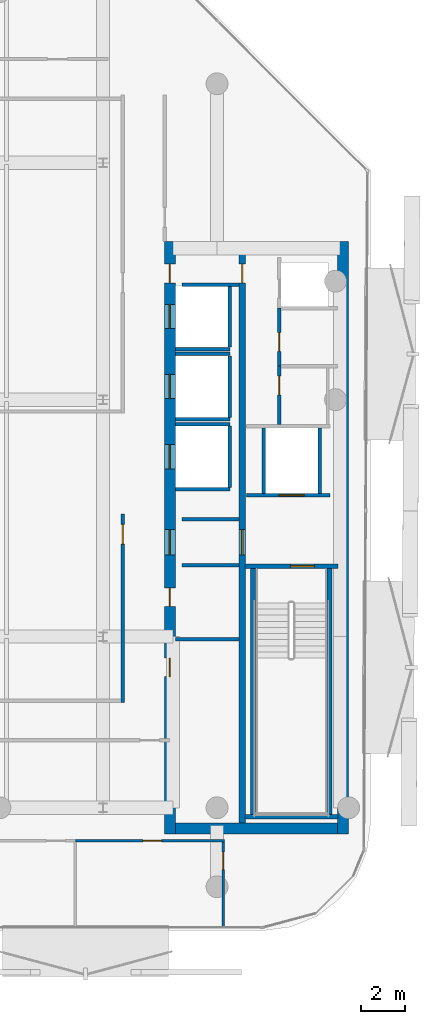
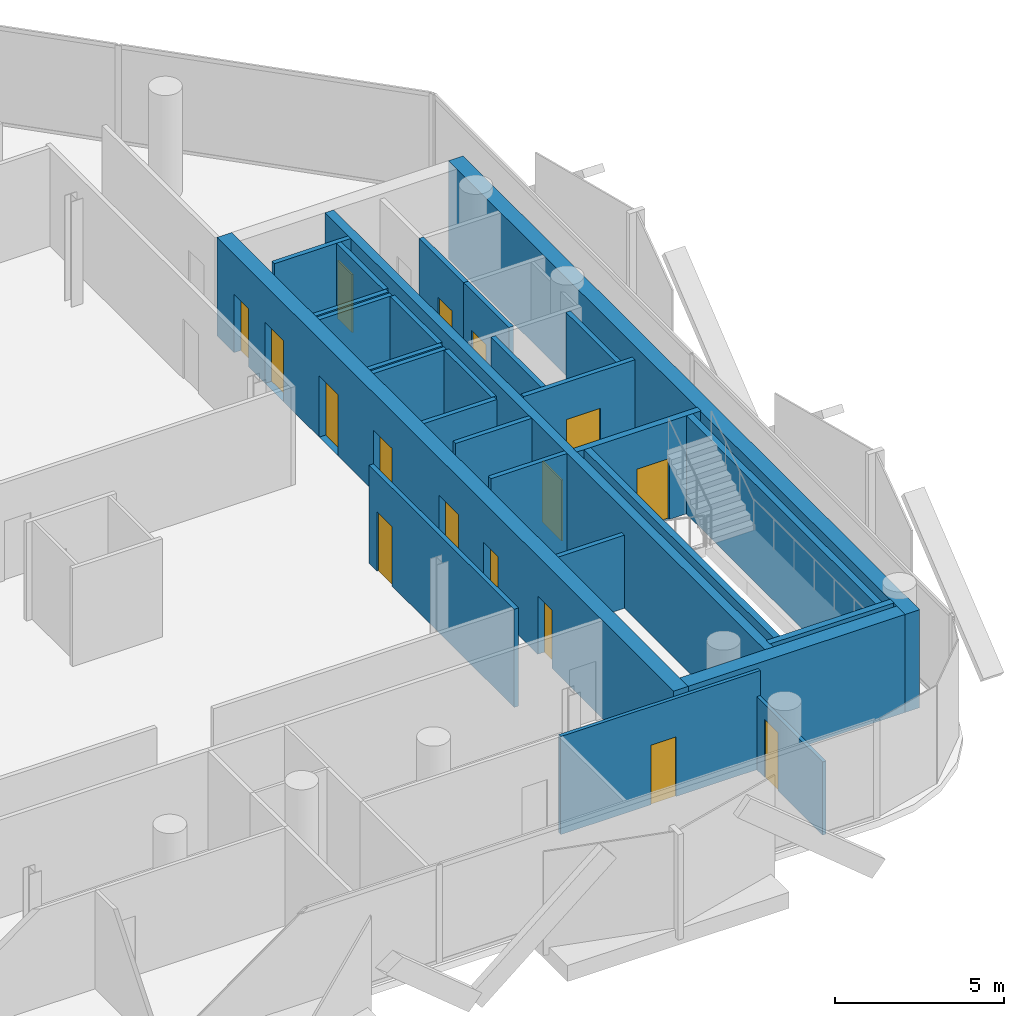
# One storey, part 6 of 16: 28 walls, 16 doors, 16 openings.
"""IFC4 building model written with IfcOpenShell, lengths in metres."""

from ifc_helpers import new_model, si_unit, direction, frame, frame_2d, origin, place, context, subcontext, project, spatial, rectangle, extrude, material, layer, layer_set, type_object, element, fill, save


model = new_model("IFC4")

# Units and contexts
model_context = context("Model", 3, precision=1e-05, world=origin(), true_north=direction((0.0, 1.0)))
body_context = subcontext(model_context, "Body", "Model", "MODEL_VIEW")
ifc_project = project(units=[si_unit("LENGTHUNIT", "METRE"), si_unit("AREAUNIT", "SQUARE_METRE"), si_unit("VOLUMEUNIT", "CUBIC_METRE"), si_unit("PLANEANGLEUNIT", "RADIAN"), si_unit("MASSUNIT", "GRAM", prefix="KILO")], contexts=[model_context])

# Site, building, storey
site_placement = place(None, origin())
site = spatial("IfcSite", under=ifc_project, at=site_placement, CompositionType="ELEMENT")
building_placement = place(site_placement, origin())
building = spatial("IfcBuilding", under=site, at=building_placement, Name="Khairoan Windgate Tower", CompositionType="ELEMENT")
storey_placement = place(building_placement, frame((0.0, 0.0, 300.39990234375)))
storey = spatial("IfcBuildingStorey", under=building, at=storey_placement, Name="L72", CompositionType="ELEMENT", Elevation=300.39990234375)

# Walls
ifc_material_1 = material(Name="Concrete C40/50", Category="concrete")
ifc_layer_1 = layer(ifc_material_1, 0.159912109375, Name="Concrete C40/50")
ifc_layer_set_1 = layer_set([ifc_layer_1], Name="Concrete C40/50")
wall_type_1 = type_object("IfcWallType", Name="Core and Hoistway Enclosure Wall", PredefinedType="STANDARD", material=ifc_layer_set_1)
wall_1_placement = place(storey_placement, frame((12.5, 2.31005859375, 0.0), z_axis=(0.0, 0.0, 1.0), x_axis=(1.0, 0.0, 0.0)))
element("IfcWall", 1, at=wall_1_placement, inside=storey, type_object=wall_type_1, Name="L72 Lift PL7 Hoistway Divider S", PredefinedType="STANDARD", context=body_context, shape_type="SweptSolid", body=[
    extrude(rectangle(XDim=2.489990234375, YDim=0.159912109375, at=frame_2d((1.2451171875, 0.0))), origin(), (0.0, 0.0, 1.0), 3.5400390625),
])
wall_2_placement = place(storey_placement, frame((14.989990234375, 2.39990234375, 0.0), z_axis=(0.0, 0.0, 1.0), x_axis=(0.0, 1.0, 0.0)))
element("IfcWall", 2, at=wall_2_placement, inside=storey, type_object=wall_type_1, Name="L72 Lift PL7 Hoistway Back Wall", PredefinedType="STANDARD", context=body_context, shape_type="SweptSolid", body=[
    extrude(rectangle(XDim=2.800048828125, YDim=0.159912109375, at=frame_2d((1.39990234375, 0.0))), origin(), (0.0, 0.0, 1.0), 3.5400390625),
])
for number, where, z_axis, x_axis, name in (
    (3, (12.5, -0.889892578125, 0.0), (0.0, 0.0, 1.0), (1.0, 0.0, 0.0), "L72 Lift PL8 Hoistway Divider S"),
    (4, (12.5, 2.090087890625, 0.0), (0.0, 0.0, 1.0), (1.0, 0.0, 0.0), "L72 Lift PL8 Hoistway Divider N"),
):
    element("IfcWall", number, at=place(storey_placement, frame(where, z_axis=z_axis, x_axis=x_axis)), inside=storey, type_object=wall_type_1, Name=name, PredefinedType="STANDARD", context=body_context, shape_type="SweptSolid", body=[
        extrude(rectangle(XDim=2.489990234375, YDim=0.159912109375, at=frame_2d((1.2451171875, 0.0))), origin(), (0.0, 0.0, 1.0), 3.5400390625),
    ])
wall_3_placement = place(storey_placement, frame((14.989990234375, -0.800048828125, 0.0), z_axis=(0.0, 0.0, 1.0), x_axis=(0.0, 1.0, 0.0)))
element("IfcWall", 5, at=wall_3_placement, inside=storey, type_object=wall_type_1, Name="L72 Lift PL8 Hoistway Back Wall", PredefinedType="STANDARD", context=body_context, shape_type="SweptSolid", body=[
    extrude(rectangle(XDim=2.800048828125, YDim=0.159912109375, at=frame_2d((1.39990234375, 0.0))), origin(), (0.0, 0.0, 1.0), 3.5400390625),
])
for number, where, z_axis, x_axis, name in (
    (6, (12.5, -4.090087890625, 0.0), (0.0, 0.0, 1.0), (1.0, 0.0, 0.0), "L72 Lift PL9 Hoistway Divider S"),
    (7, (12.5, -1.110107421875, 0.0), (0.0, 0.0, 1.0), (1.0, 0.0, 0.0), "L72 Lift PL9 Hoistway Divider N"),
):
    element("IfcWall", number, at=place(storey_placement, frame(where, z_axis=z_axis, x_axis=x_axis)), inside=storey, type_object=wall_type_1, Name=name, PredefinedType="STANDARD", context=body_context, shape_type="SweptSolid", body=[
        extrude(rectangle(XDim=2.489990234375, YDim=0.159912109375, at=frame_2d((1.2451171875, 0.0))), origin(), (0.0, 0.0, 1.0), 3.5400390625),
    ])
wall_4_placement = place(storey_placement, frame((14.989990234375, -4.0, 0.0), z_axis=(0.0, 0.0, 1.0), x_axis=(0.0, 1.0, 0.0)))
element("IfcWall", 8, at=wall_4_placement, inside=storey, type_object=wall_type_1, Name="L72 Lift PL9 Hoistway Back Wall", PredefinedType="STANDARD", context=body_context, shape_type="SweptSolid", body=[
    extrude(rectangle(XDim=2.800048828125, YDim=0.159912109375, at=frame_2d((1.39990234375, 0.0))), origin(), (0.0, 0.0, 1.0), 3.5400390625),
])

# Wall, opening, door
wall_5_placement = place(storey_placement, frame((15.75, -4.360107421875, 0.0), z_axis=(0.0, 0.0, 1.0), x_axis=(1.0, 0.0, 0.0)))
wall_5 = element("IfcWall", 9, at=wall_5_placement, inside=storey, type_object=wall_type_1, Name="L72 Core Shaft Wall SW-FL1-L72", PredefinedType="STANDARD", context=body_context, shape_type="SweptSolid", body=[
    extrude(rectangle(XDim=3.800048828125, YDim=0.159912109375, at=frame_2d((1.89990234375, 0.0))), origin(), (0.0, 0.0, 1.0), 3.5400390625),
])
opening_1_placement = place(wall_5_placement, frame((1.469970703125, 0.0, 0.0)))
opening_1 = element("IfcOpeningElement", 10, at=opening_1_placement, cuts=wall_5, Name="Opening LD-FL", PredefinedType="OPENING", context=body_context, shape_type="SweptSolid", body=[
    extrude(rectangle(XDim=1.14990234375, YDim=2.199951171875, at=frame_2d((0.574951171875, 1.10009765625))), frame((0.0, 0.08984375, 0.0), z_axis=(0.0, -1.0, 0.0), x_axis=(1.0, 0.0, 0.0)), (0.0, 0.0, 1.0), 0.179931640625),
])
ifc_material_2 = material(Name="Steel S355", Category="steel")
door_type_1 = type_object("IfcDoorType", Name="Firefighting Lift Sliding Landing Door LD-FL 1150x2200", OperationType="DOUBLE_DOOR_SLIDING", PredefinedType="DOOR", material=ifc_material_2)
door_1_placement = place(opening_1_placement, origin())
door_1 = element("IfcDoor", 11, at=door_1_placement, inside=storey, type_object=door_type_1, Name="L72 Firefighting Lift FL1 Landing Door", OperationType="DOUBLE_DOOR_SLIDING", OverallHeight=2.199951171875, OverallWidth=1.14990234375, PredefinedType="DOOR", context=body_context, shape_type="SweptSolid", body=[
    extrude(rectangle(XDim=1.14990234375, YDim=2.199951171875, at=frame_2d((0.574951171875, 1.10009765625))), frame((0.0, 0.02490234375, 0.0), z_axis=(0.0, -1.0, 0.0), x_axis=(1.0, 0.0, 0.0)), (0.0, 0.0, 1.0), 0.050048828125),
])
fill(opening_1, door_1)

# Walls
for number, where, z_axis, x_axis, name in (
    (12, (16.52001953125, -4.280029296875, 0.0), (0.0, 0.0, 1.0), (0.0, 1.0, 0.0), "L72 Core Shaft Wall SW-FL1W-L72"),
    (13, (19.080078125, -4.280029296875, 0.0), (0.0, 0.0, 1.0), (0.0, 1.0, 0.0), "L72 Core Shaft Wall SW-FL1E-L72"),
):
    element("IfcWall", number, at=place(storey_placement, frame(where, z_axis=z_axis, x_axis=x_axis)), inside=storey, type_object=wall_type_1, Name=name, PredefinedType="STANDARD", context=body_context, shape_type="SweptSolid", body=[
        extrude(rectangle(XDim=2.97998046875, YDim=0.159912109375, at=frame_2d((1.489990234375, 0.0))), origin(), (0.0, 0.0, 1.0), 3.5400390625),
    ])
for number, where, z_axis, x_axis, name in (
    (14, (12.800048828125, -5.449951171875, 0.0), (0.0, 0.0, 1.0), (1.0, 0.0, 0.0), "L72 Core Shaft Wall SW-EV1-L72"),
    (15, (12.800048828125, -7.5400390625, 0.0), (0.0, 0.0, 1.0), (1.0, 0.0, 0.0), "L72 Core Shaft Wall SW-EV2-L72"),
    (16, (12.800048828125, 5.25, 0.0), (0.0, 0.0, 1.0), (1.0, 0.0, 0.0), "L72 Core Shaft Wall SW-ESV-L72"),
):
    element("IfcWall", number, at=place(storey_placement, frame(where, z_axis=z_axis, x_axis=x_axis)), inside=storey, type_object=wall_type_1, Name=name, PredefinedType="STANDARD", context=body_context, shape_type="SweptSolid", body=[
        extrude(rectangle(XDim=2.599853515625, YDim=0.159912109375, at=frame_2d((1.2998046875, 0.0))), origin(), (0.0, 0.0, 1.0), 3.5400390625),
    ])

# Wall, opening, door
ifc_material_3 = material(Name="Gypsum Stud Partition", Category="gypsum")
ifc_layer_2 = layer(ifc_material_3, 0.1201171875, Name="Gypsum Stud Partition")
ifc_layer_set_2 = layer_set([ifc_layer_2], Name="Gypsum Stud Partition")
wall_type_2 = type_object("IfcWallType", Name="Internal Room Partition Wall", PredefinedType="PARTITIONING", material=ifc_layer_set_2)
wall_6_placement = place(storey_placement, frame((7.93994140625, -20.10009765625, 0.0), z_axis=(0.0, 0.0, 1.0), x_axis=(1.0, 0.0, 0.0)))
wall_6 = element("IfcWall", 17, at=wall_6_placement, inside=storey, type_object=wall_type_2, Name="L72 Interior Partition 069", PredefinedType="PARTITIONING", context=body_context, shape_type="SweptSolid", body=[
    extrude(rectangle(XDim=6.81005859375, YDim=0.1201171875, at=frame_2d((3.405029296875, 0.0))), origin(), (0.0, 0.0, 1.0), 3.5400390625),
])
opening_2_placement = place(wall_6_placement, frame((3.07568359375, 0.0, 0.0)))
opening_2 = element("IfcOpeningElement", 18, at=opening_2_placement, cuts=wall_6, Name="Opening ID-RM", PredefinedType="OPENING", context=body_context, shape_type="SweptSolid", body=[
    extrude(rectangle(XDim=0.860107421875, YDim=2.14990234375, at=frame_2d((0.43017578125, 1.074951171875))), frame((0.0, 0.070068359375, 0.0), z_axis=(0.0, -1.0, 0.0), x_axis=(1.0, 0.0, 0.0)), (0.0, 0.0, 1.0), 0.14013671875),
])
ifc_material_4 = material(Name="Teak Veneer Timber Leaf", Category="wood")
door_type_2 = type_object("IfcDoorType", Name="Internal Bedroom and Office Door ID-RM 860x2150", OperationType="NOTDEFINED", PredefinedType="DOOR", material=ifc_material_4)
door_2_placement = place(opening_2_placement, origin())
door_2 = element("IfcDoor", 19, at=door_2_placement, inside=storey, type_object=door_type_2, Name="L72 L72-51-L72-54 Door", OperationType="SINGLE_SWING_RIGHT", OverallHeight=2.14990234375, OverallWidth=0.860107421875, PredefinedType="DOOR", context=body_context, shape_type="SweptSolid", body=[
    extrude(rectangle(XDim=0.860107421875, YDim=2.14990234375, at=frame_2d((0.43017578125, 1.074951171875))), frame((0.0, 0.02490234375, 0.0), z_axis=(0.0, -1.0, 0.0), x_axis=(1.0, 0.0, 0.0)), (0.0, 0.0, 1.0), 0.050048828125),
])
fill(opening_2, door_2)

wall_7_placement = place(storey_placement, frame((14.68994140625, -24.054931640625, 0.0), z_axis=(0.0, 0.0, 1.0), x_axis=(0.0, 1.0, 0.0)))
wall_7 = element("IfcWall", 20, at=wall_7_placement, inside=storey, type_object=wall_type_2, Name="L72 Interior Partition 070", PredefinedType="PARTITIONING", context=body_context, shape_type="SweptSolid", body=[
    extrude(rectangle(XDim=3.89501953125, YDim=0.1201171875, at=frame_2d((1.947509765625, 0.0))), origin(), (0.0, 0.0, 1.0), 2.64013671875),
])
opening_3_placement = place(wall_7_placement, frame((2.635009765625, 0.0, 0.0)))
opening_3 = element("IfcOpeningElement", 21, at=opening_3_placement, cuts=wall_7, Name="Opening ID-BTH", PredefinedType="OPENING", context=body_context, shape_type="SweptSolid", body=[
    extrude(rectangle(XDim=0.800048828125, YDim=2.10009765625, at=frame_2d((0.39990234375, 1.050048828125))), frame((0.0, 0.070068359375, 0.0), z_axis=(0.0, -1.0, 0.0), x_axis=(1.0, 0.0, 0.0)), (0.0, 0.0, 1.0), 0.14013671875),
])
ifc_material_5 = material(Name="Teak Veneer Timber Leaf", Category="wood")
door_type_3 = type_object("IfcDoorType", Name="Internal Bathroom Door ID-BTH 800x2100", OperationType="NOTDEFINED", PredefinedType="DOOR", material=ifc_material_5)
door_3_placement = place(opening_3_placement, origin())
door_3 = element("IfcDoor", 22, at=door_3_placement, inside=storey, type_object=door_type_3, Name="L72 L72-52-L72-54 Door", OperationType="SINGLE_SWING_LEFT", OverallHeight=2.10009765625, OverallWidth=0.800048828125, PredefinedType="DOOR", context=body_context, shape_type="SweptSolid", body=[
    extrude(rectangle(XDim=0.800048828125, YDim=2.10009765625, at=frame_2d((0.39990234375, 1.050048828125))), frame((0.0, 0.02490234375, 0.0), z_axis=(0.0, -1.0, 0.0), x_axis=(1.0, 0.0, 0.0)), (0.0, 0.0, 1.0), 0.050048828125),
])
fill(opening_3, door_3)

ifc_material_6 = material(Name="Concrete C40/50", Category="concrete")
ifc_layer_3 = layer(ifc_material_6, 0.159912109375, Name="Concrete C40/50")
ifc_layer_set_3 = layer_set([ifc_layer_3], Name="Concrete C40/50")
wall_type_3 = type_object("IfcWallType", Name="Plant and Refuge Compartment Wall", PredefinedType="PARTITIONING", material=ifc_layer_set_3)
wall_8_placement = place(storey_placement, frame((17.22998046875, -1.139892578125, 0.0), z_axis=(0.0, 0.0, 1.0), x_axis=(0.0, 1.0, 0.0)))
wall_8 = element("IfcWall", 23, at=wall_8_placement, inside=storey, type_object=wall_type_3, Name="L72 Interior Partition 007", PredefinedType="PARTITIONING", context=body_context, shape_type="SweptSolid", body=[
    extrude(rectangle(XDim=2.669921875, YDim=0.159912109375, at=frame_2d((1.3349609375, 0.0))), origin(), (0.0, 0.0, 1.0), 3.5400390625),
])
opening_4_placement = place(wall_8_placement, frame((1.360107421875, 0.0, 0.0)))
opening_4 = element("IfcOpeningElement", 24, at=opening_4_placement, cuts=wall_8, Name="Opening FD-SRV", PredefinedType="OPENING", context=body_context, shape_type="SweptSolid", body=[
    extrude(rectangle(XDim=0.85009765625, YDim=2.10009765625, at=frame_2d((0.425048828125, 1.050048828125))), frame((0.0, 0.08984375, 0.0), z_axis=(0.0, -1.0, 0.0), x_axis=(1.0, 0.0, 0.0)), (0.0, 0.0, 1.0), 0.179931640625),
])
ifc_material_7 = material(Name="Steel S355", Category="steel")
door_type_4 = type_object("IfcDoorType", Name="Core Service and Riser Fire Door FD-SRV 850x2100", OperationType="NOTDEFINED", PredefinedType="DOOR", material=ifc_material_7)
door_4_placement = place(opening_4_placement, origin())
door_4 = element("IfcDoor", 25, at=door_4_placement, inside=storey, type_object=door_type_4, Name="L72 L72-16-L72-18 Door", OperationType="SINGLE_SWING_LEFT", OverallHeight=2.10009765625, OverallWidth=0.85009765625, PredefinedType="DOOR", context=body_context, shape_type="SweptSolid", body=[
    extrude(rectangle(XDim=0.85009765625, YDim=2.10009765625, at=frame_2d((0.425048828125, 1.050048828125))), frame((0.0, 0.02490234375, 0.0), z_axis=(0.0, -1.0, 0.0), x_axis=(1.0, 0.0, 0.0)), (0.0, 0.0, 1.0), 0.050048828125),
])
fill(opening_4, door_4)

wall_9_placement = place(storey_placement, frame((17.22998046875, 1.530029296875, 0.0), z_axis=(0.0, 0.0, 1.0), x_axis=(0.0, 1.0, 0.0)))
wall_9 = element("IfcWall", 26, at=wall_9_placement, inside=storey, type_object=wall_type_3, Name="L72 Interior Partition 008", PredefinedType="PARTITIONING", context=body_context, shape_type="SweptSolid", body=[
    extrude(rectangle(XDim=2.639892578125, YDim=0.159912109375, at=frame_2d((1.31982421875, 0.0))), origin(), (0.0, 0.0, 1.0), 3.5400390625),
])
opening_5_placement = place(wall_9_placement, frame((0.677490234375, 0.0, 0.0)))
opening_5 = element("IfcOpeningElement", 27, at=opening_5_placement, cuts=wall_9, Name="Opening FD-SRV", PredefinedType="OPENING", context=body_context, shape_type="SweptSolid", body=[
    extrude(rectangle(XDim=0.85009765625, YDim=2.10009765625, at=frame_2d((0.425048828125, 1.050048828125))), frame((0.0, 0.08984375, 0.0), z_axis=(0.0, -1.0, 0.0), x_axis=(1.0, 0.0, 0.0)), (0.0, 0.0, 1.0), 0.179931640625),
])
door_5_placement = place(opening_5_placement, origin())
door_5 = element("IfcDoor", 28, at=door_5_placement, inside=storey, type_object=door_type_4, Name="L72 L72-16-L72-19 Door", OperationType="SINGLE_SWING_RIGHT", OverallHeight=2.10009765625, OverallWidth=0.85009765625, PredefinedType="DOOR", context=body_context, shape_type="SweptSolid", body=[
    extrude(rectangle(XDim=0.85009765625, YDim=2.10009765625, at=frame_2d((0.425048828125, 1.050048828125))), frame((0.0, 0.02490234375, 0.0), z_axis=(0.0, -1.0, 0.0), x_axis=(1.0, 0.0, 0.0)), (0.0, 0.0, 1.0), 0.050048828125),
])
fill(opening_5, door_5)

# Wall
wall_10_placement = place(storey_placement, frame((12.5, -10.919921875, 0.0), z_axis=(0.0, 0.0, 1.0), x_axis=(1.0, 0.0, 0.0)))
element("IfcWall", 29, at=wall_10_placement, inside=storey, type_object=wall_type_3, Name="L72 Interior Partition 011", PredefinedType="PARTITIONING", context=body_context, shape_type="SweptSolid", body=[
    extrude(rectangle(XDim=2.89990234375, YDim=0.159912109375, at=frame_2d((1.449951171875, 0.0))), origin(), (0.0, 0.0, 1.0), 2.64013671875),
])

# Wall, opening, door
ifc_material_8 = material(Name="Acoustic Fire-Rated Gypsum Partition", Category="gypsum")
ifc_layer_4 = layer(ifc_material_8, 0.14990234375, Name="Acoustic Fire-Rated Gypsum Partition")
ifc_layer_set_4 = layer_set([ifc_layer_4], Name="Acoustic Fire-Rated Gypsum Partition")
wall_type_4 = type_object("IfcWallType", Name="Rated Corridor Partition Wall", PredefinedType="PARTITIONING", material=ifc_layer_set_4)
wall_11_placement = place(storey_placement, frame((10.10009765625, -13.794921875, 0.0), z_axis=(0.0, 0.0, 1.0), x_axis=(0.0, 1.0, 0.0)))
wall_11 = element("IfcWall", 30, at=wall_11_placement, inside=storey, type_object=wall_type_4, Name="L72 Interior Partition 016", PredefinedType="PARTITIONING", context=body_context, shape_type="SweptSolid", body=[
    extrude(rectangle(XDim=8.574951171875, YDim=0.14990234375, at=frame_2d((4.28759765625, 0.0))), origin(), (0.0, 0.0, 1.0), 3.5400390625),
])
opening_6_placement = place(wall_11_placement, frame((7.215087890625, 0.0, 0.0)))
opening_6 = element("IfcOpeningElement", 31, at=opening_6_placement, cuts=wall_11, Name="Opening FD-ENT", PredefinedType="OPENING", context=body_context, shape_type="SweptSolid", body=[
    extrude(rectangle(XDim=0.89990234375, YDim=2.14990234375, at=frame_2d((0.449951171875, 1.074951171875))), frame((0.0, 0.0849609375, 0.0), z_axis=(0.0, -1.0, 0.0), x_axis=(1.0, 0.0, 0.0)), (0.0, 0.0, 1.0), 0.169921875),
])
ifc_material_9 = material(Name="Timber Fire-Rated Core", Category="wood")
door_type_5 = type_object("IfcDoorType", Name="Unit and Office Fire Entrance Door FD-ENT 900x2150", OperationType="NOTDEFINED", PredefinedType="DOOR", material=ifc_material_9)
door_6_placement = place(opening_6_placement, origin())
door_6 = element("IfcDoor", 32, at=door_6_placement, inside=storey, type_object=door_type_5, Name="L72 L72-28-L72-60 Door", OperationType="SINGLE_SWING_LEFT", OverallHeight=2.14990234375, OverallWidth=0.89990234375, PredefinedType="DOOR", context=body_context, shape_type="SweptSolid", body=[
    extrude(rectangle(XDim=0.89990234375, YDim=2.14990234375, at=frame_2d((0.449951171875, 1.074951171875))), frame((0.0, 0.02490234375, 0.0), z_axis=(0.0, -1.0, 0.0), x_axis=(1.0, 0.0, 0.0)), (0.0, 0.0, 1.0), 0.050048828125),
])
fill(opening_6, door_6)

# Wall, openings, doors
ifc_material_10 = material(Name="Concrete C50/60", Category="concrete")
ifc_layer_5 = layer(ifc_material_10, 0.5, Name="Concrete C50/60")
ifc_layer_set_5 = layer_set([ifc_layer_5], Name="Concrete C50/60")
wall_type_5 = type_object("IfcWallType", Name="Shear Wall CW-E3 500mm", PredefinedType="SHEAR", material=ifc_layer_set_5)
wall_12_placement = place(storey_placement, frame((12.25, -19.800048828125, 0.0), z_axis=(0.0, 0.0, 1.0), x_axis=(0.0, 1.0, 0.0)))
wall_12 = element("IfcWall", 33, at=wall_12_placement, inside=storey, type_object=wall_type_5, Name="E Core West Shear Wall L72", PredefinedType="SHEAR", context=body_context, shape_type="SweptSolid", body=[
    extrude(rectangle(XDim=27.0, YDim=0.5, at=frame_2d((13.5, 0.0))), origin(), (0.0, 0.0, 1.0), 3.5400390625),
])
opening_7_placement = place(wall_12_placement, frame((23.050048828125, 0.0, 0.0)))
opening_7 = element("IfcOpeningElement", 34, at=opening_7_placement, cuts=wall_12, Name="Opening LD-PL", PredefinedType="OPENING", context=body_context, shape_type="SweptSolid", body=[
    extrude(rectangle(XDim=1.10009765625, YDim=2.199951171875, at=frame_2d((0.550048828125, 1.10009765625))), frame((0.0, 0.260009765625, 0.0), z_axis=(0.0, -1.0, 0.0), x_axis=(1.0, 0.0, 0.0)), (0.0, 0.0, 1.0), 0.52001953125),
])
opening_8_placement = place(wall_12_placement, frame((19.85009765625, 0.0, 0.0)))
opening_8 = element("IfcOpeningElement", 35, at=opening_8_placement, cuts=wall_12, Name="Opening LD-PL", PredefinedType="OPENING", context=body_context, shape_type="SweptSolid", body=[
    extrude(rectangle(XDim=1.10009765625, YDim=2.199951171875, at=frame_2d((0.550048828125, 1.10009765625))), frame((0.0, 0.260009765625, 0.0), z_axis=(0.0, -1.0, 0.0), x_axis=(1.0, 0.0, 0.0)), (0.0, 0.0, 1.0), 0.52001953125),
])
opening_9_placement = place(wall_12_placement, frame((16.64990234375, 0.0, 0.0)))
opening_9 = element("IfcOpeningElement", 36, at=opening_9_placement, cuts=wall_12, Name="Opening LD-PL", PredefinedType="OPENING", context=body_context, shape_type="SweptSolid", body=[
    extrude(rectangle(XDim=1.10009765625, YDim=2.199951171875, at=frame_2d((0.550048828125, 1.10009765625))), frame((0.0, 0.260009765625, 0.0), z_axis=(0.0, -1.0, 0.0), x_axis=(1.0, 0.0, 0.0)), (0.0, 0.0, 1.0), 0.52001953125),
])
opening_10_placement = place(wall_12_placement, frame((7.175048828125, 0.0, 0.0)))
opening_10 = element("IfcOpeningElement", 37, at=opening_10_placement, cuts=wall_12, Name="Opening FD-SRV", PredefinedType="OPENING", context=body_context, shape_type="SweptSolid", body=[
    extrude(rectangle(XDim=0.85009765625, YDim=2.10009765625, at=frame_2d((0.425048828125, 1.050048828125))), frame((0.0, 0.260009765625, 0.0), z_axis=(0.0, -1.0, 0.0), x_axis=(1.0, 0.0, 0.0)), (0.0, 0.0, 1.0), 0.52001953125),
])
opening_11_placement = place(wall_12_placement, frame((10.375, 0.0, 0.0)))
opening_11 = element("IfcOpeningElement", 38, at=opening_11_placement, cuts=wall_12, Name="Opening FD-SRV", PredefinedType="OPENING", context=body_context, shape_type="SweptSolid", body=[
    extrude(rectangle(XDim=0.85009765625, YDim=2.10009765625, at=frame_2d((0.425048828125, 1.050048828125))), frame((0.0, 0.260009765625, 0.0), z_axis=(0.0, -1.0, 0.0), x_axis=(1.0, 0.0, 0.0)), (0.0, 0.0, 1.0), 0.52001953125),
])
opening_12_placement = place(wall_12_placement, frame((12.72509765625, 0.0, 0.0)))
opening_12 = element("IfcOpeningElement", 39, at=opening_12_placement, cuts=wall_12, Name="Opening FD-FFL", PredefinedType="OPENING", context=body_context, shape_type="SweptSolid", body=[
    extrude(rectangle(XDim=1.14990234375, YDim=2.199951171875, at=frame_2d((0.574951171875, 1.10009765625))), frame((0.0, 0.260009765625, 0.0), z_axis=(0.0, -1.0, 0.0), x_axis=(1.0, 0.0, 0.0)), (0.0, 0.0, 1.0), 0.52001953125),
])
opening_13_placement = place(wall_12_placement, frame((25.125, 0.0, 0.0)))
opening_13 = element("IfcOpeningElement", 40, at=opening_13_placement, cuts=wall_12, Name="Opening FD-SRV", PredefinedType="OPENING", context=body_context, shape_type="SweptSolid", body=[
    extrude(rectangle(XDim=0.85009765625, YDim=2.10009765625, at=frame_2d((0.425048828125, 1.050048828125))), frame((0.0, 0.260009765625, 0.0), z_axis=(0.0, -1.0, 0.0), x_axis=(1.0, 0.0, 0.0)), (0.0, 0.0, 1.0), 0.52001953125),
])
door_7_placement = place(opening_10_placement, origin())
door_7 = element("IfcDoor", 41, at=door_7_placement, inside=storey, type_object=door_type_4, Name="L72 East Core Service Room Door 1", OperationType="SINGLE_SWING_RIGHT", OverallHeight=2.10009765625, OverallWidth=0.85009765625, PredefinedType="DOOR", context=body_context, shape_type="SweptSolid", body=[
    extrude(rectangle(XDim=0.85009765625, YDim=2.10009765625, at=frame_2d((0.425048828125, 1.050048828125))), frame((0.0, 0.02490234375, 0.0), z_axis=(0.0, -1.0, 0.0), x_axis=(1.0, 0.0, 0.0)), (0.0, 0.0, 1.0), 0.050048828125),
])
fill(opening_10, door_7)
door_8_placement = place(opening_11_placement, origin())
door_8 = element("IfcDoor", 42, at=door_8_placement, inside=storey, type_object=door_type_4, Name="L72 East Core Service Room Door 2", OperationType="SINGLE_SWING_LEFT", OverallHeight=2.10009765625, OverallWidth=0.85009765625, PredefinedType="DOOR", context=body_context, shape_type="SweptSolid", body=[
    extrude(rectangle(XDim=0.85009765625, YDim=2.10009765625, at=frame_2d((0.425048828125, 1.050048828125))), frame((0.0, 0.02490234375, 0.0), z_axis=(0.0, -1.0, 0.0), x_axis=(1.0, 0.0, 0.0)), (0.0, 0.0, 1.0), 0.050048828125),
])
fill(opening_11, door_8)
door_9_placement = place(opening_13_placement, origin())
door_9 = element("IfcDoor", 43, at=door_9_placement, inside=storey, type_object=door_type_4, Name="L72 East Core Service Vestibule Outer Door", OperationType="SINGLE_SWING_RIGHT", OverallHeight=2.10009765625, OverallWidth=0.85009765625, PredefinedType="DOOR", context=body_context, shape_type="SweptSolid", body=[
    extrude(rectangle(XDim=0.85009765625, YDim=2.10009765625, at=frame_2d((0.425048828125, 1.050048828125))), frame((0.0, 0.02490234375, 0.0), z_axis=(0.0, -1.0, 0.0), x_axis=(1.0, 0.0, 0.0)), (0.0, 0.0, 1.0), 0.050048828125),
])
fill(opening_13, door_9)
ifc_material_11 = material(Name="Steel S355", Category="steel")
door_type_6 = type_object("IfcDoorType", Name="Firefighting Lobby Fire Door FD-FFL 1150x2200", OperationType="NOTDEFINED", PredefinedType="DOOR", material=ifc_material_11)
door_10_placement = place(opening_12_placement, origin())
door_10 = element("IfcDoor", 44, at=door_10_placement, inside=storey, type_object=door_type_6, Name="L72 East Core Vestibule Entry Door", OperationType="SINGLE_SWING_RIGHT", OverallHeight=2.199951171875, OverallWidth=1.14990234375, PredefinedType="DOOR", context=body_context, shape_type="SweptSolid", body=[
    extrude(rectangle(XDim=1.14990234375, YDim=2.199951171875, at=frame_2d((0.574951171875, 1.10009765625))), frame((0.0, 0.02490234375, 0.0), z_axis=(0.0, -1.0, 0.0), x_axis=(1.0, 0.0, 0.0)), (0.0, 0.0, 1.0), 0.050048828125),
])
fill(opening_12, door_10)
ifc_material_12 = material(Name="Anodised Bronze Aluminium 6063-T6", Category="aluminium")
door_type_7 = type_object("IfcDoorType", Name="Passenger Lift Sliding Landing Door LD-PL 1100x2200", OperationType="DOUBLE_DOOR_SLIDING", PredefinedType="DOOR", material=ifc_material_12)
door_11_placement = place(opening_7_placement, origin())
door_11 = element("IfcDoor", 45, at=door_11_placement, inside=storey, type_object=door_type_7, Name="L72 Lift PL7 Sliding Landing Door", OperationType="DOUBLE_DOOR_SLIDING", OverallHeight=2.199951171875, OverallWidth=1.10009765625, PredefinedType="DOOR", context=body_context, shape_type="SweptSolid", body=[
    extrude(rectangle(XDim=1.10009765625, YDim=2.199951171875, at=frame_2d((0.550048828125, 1.10009765625))), frame((0.0, 0.02490234375, 0.0), z_axis=(0.0, -1.0, 0.0), x_axis=(1.0, 0.0, 0.0)), (0.0, 0.0, 1.0), 0.050048828125),
])
fill(opening_7, door_11)
door_12_placement = place(opening_8_placement, origin())
door_12 = element("IfcDoor", 46, at=door_12_placement, inside=storey, type_object=door_type_7, Name="L72 Lift PL8 Sliding Landing Door", OperationType="DOUBLE_DOOR_SLIDING", OverallHeight=2.199951171875, OverallWidth=1.10009765625, PredefinedType="DOOR", context=body_context, shape_type="SweptSolid", body=[
    extrude(rectangle(XDim=1.10009765625, YDim=2.199951171875, at=frame_2d((0.550048828125, 1.10009765625))), frame((0.0, 0.02490234375, 0.0), z_axis=(0.0, -1.0, 0.0), x_axis=(1.0, 0.0, 0.0)), (0.0, 0.0, 1.0), 0.050048828125),
])
fill(opening_8, door_12)
door_13_placement = place(opening_9_placement, origin())
door_13 = element("IfcDoor", 47, at=door_13_placement, inside=storey, type_object=door_type_7, Name="L72 Lift PL9 Sliding Landing Door", OperationType="DOUBLE_DOOR_SLIDING", OverallHeight=2.199951171875, OverallWidth=1.10009765625, PredefinedType="DOOR", context=body_context, shape_type="SweptSolid", body=[
    extrude(rectangle(XDim=1.10009765625, YDim=2.199951171875, at=frame_2d((0.550048828125, 1.10009765625))), frame((0.0, 0.02490234375, 0.0), z_axis=(0.0, -1.0, 0.0), x_axis=(1.0, 0.0, 0.0)), (0.0, 0.0, 1.0), 0.050048828125),
])
fill(opening_9, door_13)

# Walls
wall_13_placement = place(storey_placement, frame((20.14990234375, -19.800048828125, 0.0), z_axis=(0.0, 0.0, 1.0), x_axis=(0.0, 1.0, 0.0)))
element("IfcWall", 48, at=wall_13_placement, inside=storey, type_object=wall_type_5, Name="E Core East Shear Wall L72", PredefinedType="SHEAR", context=body_context, shape_type="SweptSolid", body=[
    extrude(rectangle(XDim=27.0, YDim=0.5, at=frame_2d((13.5, 0.0))), origin(), (0.0, 0.0, 1.0), 3.5400390625),
])
wall_14_placement = place(storey_placement, frame((12.5, -19.550048828125, 0.0), z_axis=(0.0, 0.0, 1.0), x_axis=(1.0, 0.0, 0.0)))
element("IfcWall", 49, at=wall_14_placement, inside=storey, type_object=wall_type_5, Name="E Core South Shear Wall L72", PredefinedType="SHEAR", context=body_context, shape_type="SweptSolid", body=[
    extrude(rectangle(XDim=7.39990234375, YDim=0.5, at=frame_2d((3.699951171875, 0.0))), origin(), (0.0, 0.0, 1.0), 3.5400390625),
])

# Wall, openings, doors
ifc_material_13 = material(Name="Concrete C50/60", Category="concrete")
ifc_layer_6 = layer(ifc_material_13, 0.300048828125, Name="Concrete C50/60")
ifc_layer_set_6 = layer_set([ifc_layer_6], Name="Concrete C50/60")
wall_type_6 = type_object("IfcWallType", Name="Shear Wall SW-2 300mm", PredefinedType="SHEAR", material=ifc_layer_set_6)
wall_15_placement = place(storey_placement, frame((15.550048828125, -19.300048828125, 0.0), z_axis=(0.0, 0.0, 1.0), x_axis=(0.0, 1.0, 0.0)))
wall_15 = element("IfcWall", 50, at=wall_15_placement, inside=storey, type_object=wall_type_6, Name="E Core Spine Shear Wall L72", PredefinedType="SHEAR", context=body_context, shape_type="SweptSolid", body=[
    extrude(rectangle(XDim=26.0, YDim=0.300048828125, at=frame_2d((13.0, 0.0))), origin(), (0.0, 0.0, 1.0), 3.5400390625),
])
opening_14_placement = place(wall_15_placement, frame((12.22509765625, 0.0, 0.0)))
opening_14 = element("IfcOpeningElement", 51, at=opening_14_placement, cuts=wall_15, Name="Opening FD-FFL", PredefinedType="OPENING", context=body_context, shape_type="SweptSolid", body=[
    extrude(rectangle(XDim=1.14990234375, YDim=2.199951171875, at=frame_2d((0.574951171875, 1.10009765625))), frame((0.0, 0.159912109375, 0.0), z_axis=(0.0, -1.0, 0.0), x_axis=(1.0, 0.0, 0.0)), (0.0, 0.0, 1.0), 0.320068359375),
])
opening_15_placement = place(wall_15_placement, frame((24.625, 0.0, 0.0)))
opening_15 = element("IfcOpeningElement", 52, at=opening_15_placement, cuts=wall_15, Name="Opening FD-SRV", PredefinedType="OPENING", context=body_context, shape_type="SweptSolid", body=[
    extrude(rectangle(XDim=0.85009765625, YDim=2.10009765625, at=frame_2d((0.425048828125, 1.050048828125))), frame((0.0, 0.159912109375, 0.0), z_axis=(0.0, -1.0, 0.0), x_axis=(1.0, 0.0, 0.0)), (0.0, 0.0, 1.0), 0.320068359375),
])
door_14_placement = place(opening_15_placement, origin())
door_14 = element("IfcDoor", 53, at=door_14_placement, inside=storey, type_object=door_type_4, Name="L72 East Core Service Passage Inner Door", OperationType="SINGLE_SWING_LEFT", OverallHeight=2.10009765625, OverallWidth=0.85009765625, PredefinedType="DOOR", context=body_context, shape_type="SweptSolid", body=[
    extrude(rectangle(XDim=0.85009765625, YDim=2.10009765625, at=frame_2d((0.425048828125, 1.050048828125))), frame((0.0, 0.02490234375, 0.0), z_axis=(0.0, -1.0, 0.0), x_axis=(1.0, 0.0, 0.0)), (0.0, 0.0, 1.0), 0.050048828125),
])
fill(opening_15, door_14)
door_15_placement = place(opening_14_placement, origin())
door_15 = element("IfcDoor", 54, at=door_15_placement, inside=storey, type_object=door_type_6, Name="L72 East Firefighting Lobby Fire Door", OperationType="SINGLE_SWING_LEFT", OverallHeight=2.199951171875, OverallWidth=1.14990234375, PredefinedType="DOOR", context=body_context, shape_type="SweptSolid", body=[
    extrude(rectangle(XDim=1.14990234375, YDim=2.199951171875, at=frame_2d((0.574951171875, 1.10009765625))), frame((0.0, 0.02490234375, 0.0), z_axis=(0.0, -1.0, 0.0), x_axis=(1.0, 0.0, 0.0)), (0.0, 0.0, 1.0), 0.050048828125),
])
fill(opening_14, door_15)

# Walls
ifc_material_14 = material(Name="Concrete C50/60", Category="concrete")
ifc_layer_7 = layer(ifc_material_14, 0.219970703125, Name="Concrete C50/60")
ifc_layer_set_7 = layer_set([ifc_layer_7], Name="Concrete C50/60")
wall_type_7 = type_object("IfcWallType", Name="Shear Wall SW-ST 220mm", PredefinedType="SHEAR", material=ifc_layer_set_7)
for number, where, z_axis, x_axis, name in (
    (55, (16.0400390625, -19.010009765625, 0.0), (0.0, 0.0, 1.0), (0.0, 1.0, 0.0), "L72 Stair ST1 West Bearing Wall"),
    (56, (19.530029296875, -19.010009765625, 0.0), (0.0, 0.0, 1.0), (0.0, 1.0, 0.0), "L72 Stair ST1 East Bearing Wall"),
):
    element("IfcWall", number, at=place(storey_placement, frame(where, z_axis=z_axis, x_axis=x_axis)), inside=storey, type_object=wall_type_7, Name=name, PredefinedType="SHEAR", context=body_context, shape_type="SweptSolid", body=[
        extrude(rectangle(XDim=11.419921875, YDim=0.219970703125, at=frame_2d((5.7099609375, 0.0))), origin(), (0.0, 0.0, 1.0), 3.5400390625),
    ])
wall_16_placement = place(storey_placement, frame((15.679931640625, -19.010009765625, 0.0), z_axis=(0.0, 0.0, 1.0), x_axis=(1.0, 0.0, 0.0)))
element("IfcWall", 57, at=wall_16_placement, inside=storey, type_object=wall_type_7, Name="L72 Stair ST1 South Bearing Wall", PredefinedType="SHEAR", context=body_context, shape_type="SweptSolid", body=[
    extrude(rectangle(XDim=4.239990234375, YDim=0.219970703125, at=frame_2d((2.1201171875, 0.0))), origin(), (0.0, 0.0, 1.0), 3.5400390625),
])

# Wall, opening, door
wall_17_placement = place(storey_placement, frame((19.919921875, -7.590087890625, 0.0), z_axis=(0.0, 0.0, 1.0), x_axis=(-1.0, 0.0, 0.0)))
wall_17 = element("IfcWall", 58, at=wall_17_placement, inside=storey, type_object=wall_type_7, Name="L72 Stair ST1 North Bearing Wall", PredefinedType="SHEAR", context=body_context, shape_type="SweptSolid", body=[
    extrude(rectangle(XDim=4.239990234375, YDim=0.219970703125, at=frame_2d((2.1201171875, 0.0))), origin(), (0.0, 0.0, 1.0), 3.5400390625),
])
opening_16_placement = place(wall_17_placement, frame((1.080078125, 0.0, 0.0)))
opening_16 = element("IfcOpeningElement", 59, at=opening_16_placement, cuts=wall_17, Name="Opening FD-ST", PredefinedType="OPENING", context=body_context, shape_type="SweptSolid", body=[
    extrude(rectangle(XDim=1.10009765625, YDim=2.199951171875, at=frame_2d((0.550048828125, 1.10009765625))), frame((0.0, 0.119873046875, 0.0), z_axis=(0.0, -1.0, 0.0), x_axis=(1.0, 0.0, 0.0)), (0.0, 0.0, 1.0), 0.239990234375),
])
ifc_material_15 = material(Name="Steel S355", Category="steel")
door_type_8 = type_object("IfcDoorType", Name="Smokeproof Stair Fire Door FD-ST 1100x2200", OperationType="NOTDEFINED", PredefinedType="DOOR", material=ifc_material_15)
door_16_placement = place(opening_16_placement, origin())
door_16 = element("IfcDoor", 60, at=door_16_placement, inside=storey, type_object=door_type_8, Name="L72 Stair ST1 Fire Door", OperationType="SINGLE_SWING_RIGHT", OverallHeight=2.199951171875, OverallWidth=1.10009765625, PredefinedType="DOOR", context=body_context, shape_type="SweptSolid", body=[
    extrude(rectangle(XDim=1.10009765625, YDim=2.199951171875, at=frame_2d((0.550048828125, 1.10009765625))), frame((0.0, 0.02490234375, 0.0), z_axis=(0.0, -1.0, 0.0), x_axis=(1.0, 0.0, 0.0)), (0.0, 0.0, 1.0), 0.050048828125),
])
fill(opening_16, door_16)

save(model, "model.ifc")
